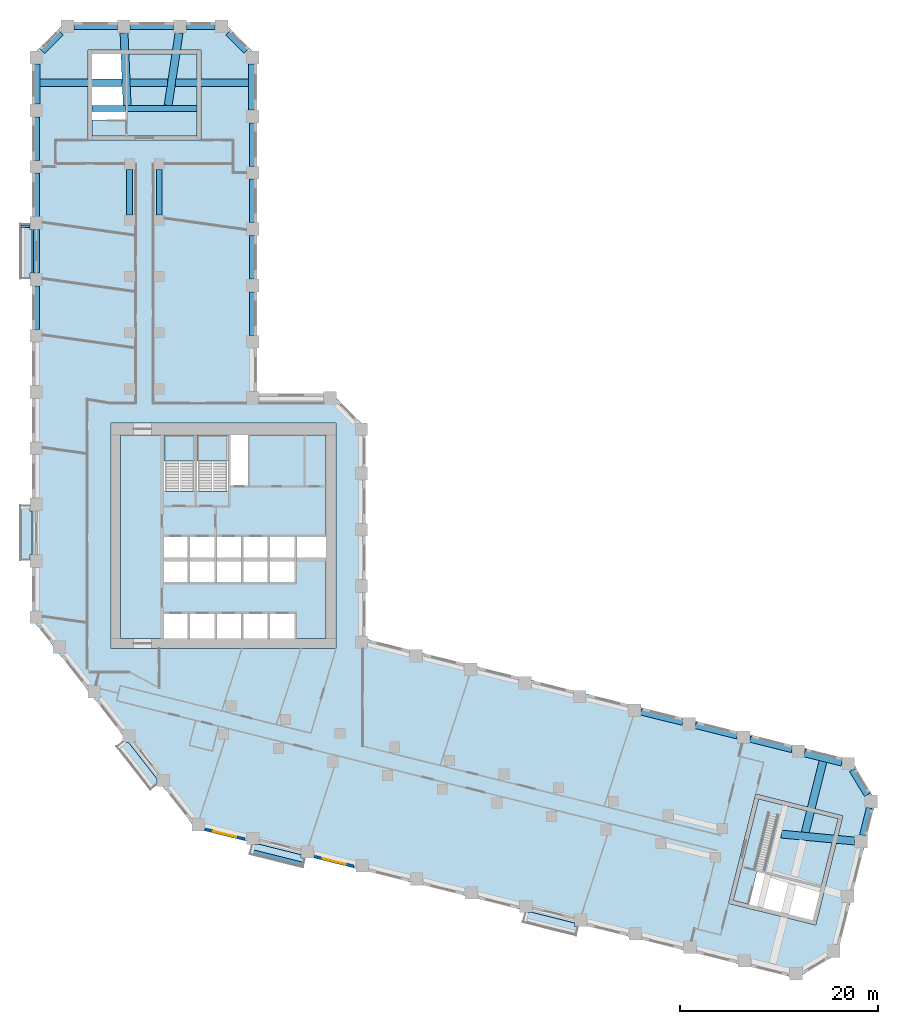
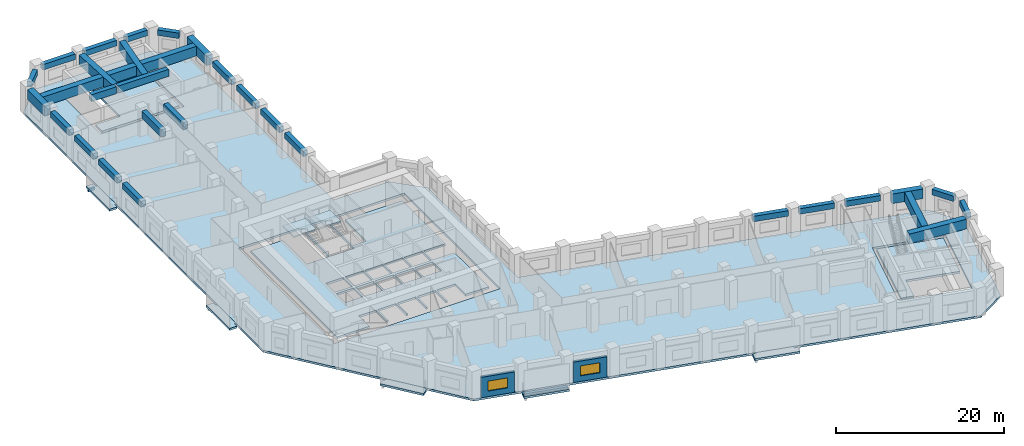
# One storey, part 2 of 11: 33 beams, 11 slabs, 3 walls, 2 windows, 2 openings, 2 elements without a shape of their own.
"""IFC4 building model written with IfcOpenShell, lengths in metres."""

from ifc_helpers import new_model, si_unit, direction, frame, frame_2d, origin, origin_2d, place, context, subcontext, project, spatial, polyline, rectangle, outline, extrude, material, layer, layer_set, material_profile, profile_set, type_object, element, fill, aggregate, save


model = new_model("IFC4")

# Units and contexts
model_context = context("Model", 3, precision=1e-05, world=origin(), true_north=direction((0.0, 1.0)))
body_context = subcontext(model_context, "Body", "Model", "MODEL_VIEW")
ifc_project = project(units=[si_unit("LENGTHUNIT", "METRE"), si_unit("AREAUNIT", "SQUARE_METRE"), si_unit("VOLUMEUNIT", "CUBIC_METRE"), si_unit("PLANEANGLEUNIT", "RADIAN"), si_unit("MASSUNIT", "GRAM", prefix="KILO")], contexts=[model_context])

# Site, building, storey
site_placement = place(None, origin())
site = spatial("IfcSite", under=ifc_project, at=site_placement, CompositionType="ELEMENT")
building_placement = place(site_placement, origin())
building = spatial("IfcBuilding", under=site, at=building_placement, Name="Meshkara Civic Tower", CompositionType="ELEMENT")
storey_placement = place(building_placement, frame((0.0, 0.0, 151.800048828125)))
storey = spatial("IfcBuildingStorey", under=building, at=storey_placement, Name="L34", CompositionType="ELEMENT", Elevation=151.800048828125)

# Beams
ifc_material_1 = material(Name="Concrete C50", Category="concrete")
ifc_material_profile_1 = material_profile(ifc_material_1, rectangle(XDim=0.25, YDim=0.39990234375, at=origin_2d()))
ifc_profile_set_1 = profile_set([ifc_material_profile_1], Name="Concrete C50")
beam_type_1 = type_object("IfcBeamType", Name="Balcony bracket beam RC 250x400 C50", PredefinedType="BEAM", material=ifc_profile_set_1)
beam_1_placement = place(storey_placement, frame((-0.195068359375, 56.85498046875, -0.5), z_axis=(-1.0, 0.0, 0.0), x_axis=(0.0, -1.0, 0.0)))
element("IfcBeam", 1, at=beam_1_placement, inside=storey, type_object=beam_type_1, Name="Balcony bracket beam", PredefinedType="BEAM", context=body_context, shape_type="SweptSolid", body=[
    extrude(rectangle(XDim=0.25, YDim=0.39990234375, at=origin_2d()), origin(), (0.0, 0.0, 1.0), 0.905029296875),
])
ifc_material_2 = material(Name="Concrete C70", Category="concrete")
ifc_material_profile_2 = material_profile(ifc_material_2, rectangle(XDim=0.60009765625, YDim=1.0, at=origin_2d()))
ifc_profile_set_2 = profile_set([ifc_material_profile_2], Name="Concrete C70")
beam_type_2 = type_object("IfcBeamType", Name="Core transfer beam RC 600x1000 C70", PredefinedType="BEAM", material=ifc_profile_set_2)
for number, where, z_axis, x_axis, name in (
    (2, (9.89990234375, 58.0, 3.25), (0.0, 1.0, 0.0), (-1.0, 0.0, 0.0), "Transfer beam A L35 core-side wall"),
    (3, (12.89990234375, 58.0, 3.25), (0.0, 1.0, 0.0), (-1.0, 0.0, 0.0), "Transfer beam A L35 core-side wall"),
):
    element("IfcBeam", number, at=place(storey_placement, frame(where, z_axis=z_axis, x_axis=x_axis)), inside=storey, type_object=beam_type_2, Name=name, PredefinedType="BEAM", context=body_context, shape_type="SweptSolid", body=[
        extrude(rectangle(XDim=0.60009765625, YDim=1.0, at=origin_2d()), origin(), (0.0, 0.0, 1.0), 4.60009765625),
    ])
beam_2_placement = place(storey_placement, frame((6.10009765625, 68.77001953125, 3.25), z_axis=(1.0, 0.0, 0.0), x_axis=(0.0, 1.0, 0.0)))
element("IfcBeam", 4, at=beam_2_placement, inside=storey, type_object=beam_type_2, Name="Transfer beam A L35 tip-side wall", PredefinedType="BEAM", context=body_context, shape_type="SweptSolid", body=[
    extrude(rectangle(XDim=0.60009765625, YDim=1.0, at=origin_2d()), origin(), (0.0, 0.0, 1.0), 3.39990234375),
])
beam_3_placement = place(storey_placement, frame((9.699951171875, 68.77001953125, 3.25), z_axis=(1.0, 0.0, 0.0), x_axis=(0.0, 1.0, 0.0)))
element("IfcBeam", 5, at=beam_3_placement, inside=storey, type_object=beam_type_2, Name="Transfer beam A L35 tip-side wall", PredefinedType="BEAM", context=body_context, shape_type="SweptSolid", body=[
    extrude(rectangle(XDim=0.60009765625, YDim=1.0, at=origin_2d()), origin(), (0.0, 0.0, 1.0), 7.0),
])
ifc_material_3 = material(Name="Concrete C70", Category="concrete")
ifc_material_profile_3 = material_profile(ifc_material_3, rectangle(XDim=0.60009765625, YDim=0.800048828125, at=origin_2d()))
ifc_profile_set_3 = profile_set([ifc_material_profile_3], Name="Concrete C70")
beam_type_3 = type_object("IfcBeamType", Name="Spandrel beam RC 600x800 C70", PredefinedType="BEAM", material=ifc_profile_set_3)
beam_4_placement = place(storey_placement, frame((76.949951171875, 3.847900390625, 3.349853515625), z_axis=(-0.970293497888, 0.241930832999, 0.0), x_axis=(-0.241930832999, -0.970293497888, 0.0)))
element("IfcBeam", 6, at=beam_4_placement, inside=storey, type_object=beam_type_3, Name="Spandrel beam BN07-BN08", PredefinedType="BEAM", context=body_context, shape_type="SweptSolid", body=[
    extrude(rectangle(XDim=0.60009765625, YDim=0.800048828125, at=origin_2d()), origin(), (0.0, 0.0, 1.0), 4.36962890625),
])
for number, where, z_axis, x_axis, name in (
    (7, (71.419921875, 5.226806640625, 3.349853515625), (-0.970293463154, 0.241930972304, 0.0), (-0.241930972304, -0.970293463154, 0.0), "Spandrel beam BN06-BN07"),
    (8, (65.888916015625, 6.605712890625, 3.349853515625), (-0.970293463154, 0.241930972304, 0.0), (-0.241930972304, -0.970293463154, 0.0), "Spandrel beam BN05-BN06"),
):
    element("IfcBeam", number, at=place(storey_placement, frame(where, z_axis=z_axis, x_axis=x_axis)), inside=storey, type_object=beam_type_3, Name=name, PredefinedType="BEAM", context=body_context, shape_type="SweptSolid", body=[
        extrude(rectangle(XDim=0.60009765625, YDim=0.800048828125, at=origin_2d()), origin(), (0.0, 0.0, 1.0), 4.37060546875),
    ])
beam_5_placement = place(storey_placement, frame((22.35009765625, 45.794921875, 3.349853515625), z_axis=(0.0, 1.0, 0.0), x_axis=(-1.0, 0.0, 0.0)))
element("IfcBeam", 9, at=beam_5_placement, inside=storey, type_object=beam_type_3, Name="Spandrel beam AE01-AE02", PredefinedType="BEAM", context=body_context, shape_type="SweptSolid", body=[
    extrude(rectangle(XDim=0.60009765625, YDim=0.800048828125, at=origin_2d()), origin(), (0.0, 0.0, 1.0), 4.41015625),
])
for number, where, z_axis, x_axis, name in (
    (10, (22.35009765625, 51.4951171875, 3.349853515625), (0.0, 1.0, 0.0), (-1.0, 0.0, 0.0), "Spandrel beam AE02-AE03"),
    (11, (22.35009765625, 57.195068359375, 3.349853515625), (0.0, 1.0, 0.0), (-1.0, 0.0, 0.0), "Spandrel beam AE03-AE04"),
    (12, (22.35009765625, 62.89501953125, 3.349853515625), (0.0, 1.0, 0.0), (-1.0, 0.0, 0.0), "Spandrel beam AE04-AE05"),
):
    element("IfcBeam", number, at=place(storey_placement, frame(where, z_axis=z_axis, x_axis=x_axis)), inside=storey, type_object=beam_type_3, Name=name, PredefinedType="BEAM", context=body_context, shape_type="SweptSolid", body=[
        extrude(rectangle(XDim=0.60009765625, YDim=0.800048828125, at=origin_2d()), origin(), (0.0, 0.0, 1.0), 4.409912109375),
    ])
beam_6_placement = place(storey_placement, frame((21.70361328125, 74.560546875, 3.349853515625), z_axis=(-0.707106781187, 0.707106781187, 0.0), x_axis=(-0.707106781187, -0.707106781187, 0.0)))
element("IfcBeam", 13, at=beam_6_placement, inside=storey, type_object=beam_type_3, Name="Spandrel beam AEEP1-ATiEP1", PredefinedType="BEAM", context=body_context, shape_type="SweptSolid", body=[
    extrude(rectangle(XDim=0.60009765625, YDim=0.800048828125, at=origin_2d()), origin(), (0.0, 0.0, 1.0), 2.634765625),
])
beam_7_placement = place(storey_placement, frame((18.549072265625, 77.070068359375, 3.349853515625), z_axis=(-1.0, 0.0, 0.0), x_axis=(0.0, -1.0, 0.0)))
element("IfcBeam", 14, at=beam_7_placement, inside=storey, type_object=beam_type_3, Name="Spandrel beam AT02-P1-ATiEP1", PredefinedType="BEAM", context=body_context, shape_type="SweptSolid", body=[
    extrude(rectangle(XDim=0.60009765625, YDim=0.800048828125, at=origin_2d()), origin(), (0.0, 0.0, 1.0), 2.898193359375),
])
beam_8_placement = place(storey_placement, frame((14.361083984375, 77.070068359375, 3.349853515625), z_axis=(-1.0, 0.0, 0.0), x_axis=(0.0, -1.0, 0.0)))
element("IfcBeam", 15, at=beam_8_placement, inside=storey, type_object=beam_type_3, Name="Spandrel beam AT01-P1-AT02-P1", PredefinedType="BEAM", context=body_context, shape_type="SweptSolid", body=[
    extrude(rectangle(XDim=0.60009765625, YDim=0.800048828125, at=origin_2d()), origin(), (0.0, 0.0, 1.0), 4.41015625),
])
beam_9_placement = place(storey_placement, frame((8.660888671875, 77.070068359375, 3.349853515625), z_axis=(-1.0, 0.0, 0.0), x_axis=(0.0, -1.0, 0.0)))
element("IfcBeam", 16, at=beam_9_placement, inside=storey, type_object=beam_type_3, Name="Spandrel beam AT00-P1-AT01-P1", PredefinedType="BEAM", context=body_context, shape_type="SweptSolid", body=[
    extrude(rectangle(XDim=0.60009765625, YDim=0.800048828125, at=origin_2d()), origin(), (0.0, 0.0, 1.0), 4.409912109375),
])
beam_10_placement = place(storey_placement, frame((2.95947265625, 76.423583984375, 3.349853515625), z_axis=(-0.707106781187, -0.707106781187, 0.0), x_axis=(0.707106781187, -0.707106781187, 0.0)))
element("IfcBeam", 17, at=beam_10_placement, inside=storey, type_object=beam_type_3, Name="Spandrel beam AT00-P1-ATo00-P1", PredefinedType="BEAM", context=body_context, shape_type="SweptSolid", body=[
    extrude(rectangle(XDim=0.60009765625, YDim=0.800048828125, at=origin_2d()), origin(), (0.0, 0.0, 1.0), 2.634765625),
])
for number, where, z_axis, x_axis, name in (
    (18, (0.449951171875, 67.909912109375, 3.349853515625), (0.0, -1.0, 0.0), (1.0, 0.0, 0.0), "Spandrel beam AW08-AW09"),
    (19, (0.449951171875, 62.2099609375, 3.349853515625), (0.0, -1.0, 0.0), (1.0, 0.0, 0.0), "Spandrel beam AW07-AW08"),
    (20, (0.449951171875, 56.510009765625, 3.349853515625), (0.0, -1.0, 0.0), (1.0, 0.0, 0.0), "Spandrel beam AW06-AW07"),
):
    element("IfcBeam", number, at=place(storey_placement, frame(where, z_axis=z_axis, x_axis=x_axis)), inside=storey, type_object=beam_type_3, Name=name, PredefinedType="BEAM", context=body_context, shape_type="SweptSolid", body=[
        extrude(rectangle(XDim=0.60009765625, YDim=0.800048828125, at=origin_2d()), origin(), (0.0, 0.0, 1.0), 4.409912109375),
    ])
beam_11_placement = place(storey_placement, frame((0.449951171875, 50.81005859375, 3.349853515625), z_axis=(0.0, -1.0, 0.0), x_axis=(1.0, 0.0, 0.0)))
element("IfcBeam", 21, at=beam_11_placement, inside=storey, type_object=beam_type_3, Name="Spandrel beam AW05-AW06", PredefinedType="BEAM", context=body_context, shape_type="SweptSolid", body=[
    extrude(rectangle(XDim=0.60009765625, YDim=0.800048828125, at=origin_2d()), origin(), (0.0, 0.0, 1.0), 4.41015625),
])
beam_12_placement = place(storey_placement, frame((84.101806640625, -4.81787109375, 3.349853515625), z_axis=(0.241952611346, 0.970288067464, 0.0), x_axis=(-0.970288067464, 0.241952611346, 0.0)))
element("IfcBeam", 22, at=beam_12_placement, inside=storey, type_object=beam_type_3, Name="Spandrel beam BT02-P1-BTEP1", PredefinedType="BEAM", context=body_context, shape_type="SweptSolid", body=[
    extrude(rectangle(XDim=0.60009765625, YDim=0.800048828125, at=origin_2d()), origin(), (0.0, 0.0, 1.0), 2.857666015625),
])
beam_13_placement = place(storey_placement, frame((84.56591796875, -0.75439453125, 3.349853515625), z_axis=(-0.515115047655, 0.857121046107, 0.0), x_axis=(-0.857121046107, -0.515115047655, 0.0)))
element("IfcBeam", 23, at=beam_13_placement, inside=storey, type_object=beam_type_3, Name="Spandrel beam BTEP1-BTi00-P1", PredefinedType="BEAM", context=body_context, shape_type="SweptSolid", body=[
    extrude(rectangle(XDim=0.60009765625, YDim=0.800048828125, at=origin_2d()), origin(), (0.0, 0.0, 1.0), 2.9560546875),
])
ifc_material_4 = material(Name="Concrete C70", Category="concrete")
ifc_material_profile_4 = material_profile(ifc_material_4, rectangle(XDim=0.800048828125, YDim=1.39990234375, at=origin_2d()))
ifc_profile_set_4 = profile_set([ifc_material_profile_4], Name="Concrete C70")
beam_type_4 = type_object("IfcBeamType", Name="Transfer girder RC 800x1400 C70", PredefinedType="BEAM", material=ifc_profile_set_4)
beam_14_placement = place(storey_placement, frame((22.35009765625, 68.594970703125, 3.050048828125), z_axis=(0.0, 1.0, 0.0), x_axis=(-1.0, 0.0, 0.0)))
element("IfcBeam", 24, at=beam_14_placement, inside=storey, type_object=beam_type_4, Name="Transfer girder AE05-AEEP1", PredefinedType="BEAM", context=body_context, shape_type="SweptSolid", body=[
    extrude(rectangle(XDim=0.800048828125, YDim=1.39990234375, at=origin_2d()), origin(), (0.0, 0.0, 1.0), 4.674072265625),
])
beam_15_placement = place(storey_placement, frame((0.449951171875, 69.199951171875, 3.050048828125), z_axis=(0.0, 1.0, 0.0), x_axis=(-1.0, 0.0, 0.0)))
element("IfcBeam", 25, at=beam_15_placement, inside=storey, type_object=beam_type_4, Name="Transfer girder ATo00-P1-AW09", PredefinedType="BEAM", context=body_context, shape_type="SweptSolid", body=[
    extrude(rectangle(XDim=0.800048828125, YDim=1.39990234375, at=origin_2d()), origin(), (0.0, 0.0, 1.0), 4.069091796875),
])
beam_16_placement = place(storey_placement, frame((9.6474609375, 69.070068359375, 3.050048828125), z_axis=(-0.042648540009, 0.999090137092, 0.0), x_axis=(-0.999090137092, -0.042648540009, 0.0)))
element("IfcBeam", 26, at=beam_16_placement, inside=storey, type_object=beam_type_4, Name="Transfer girder AT01-P1-SA1-08", PredefinedType="BEAM", context=body_context, shape_type="SweptSolid", body=[
    extrude(rectangle(XDim=0.800048828125, YDim=1.39990234375, at=origin_2d()), origin(), (0.0, 0.0, 1.0), 7.361572265625),
])
beam_17_placement = place(storey_placement, frame((13.795654296875, 69.070068359375, 3.050048828125), z_axis=(0.14960022733, 0.988746566104, 0.0), x_axis=(-0.988746566104, 0.14960022733, 0.0)))
element("IfcBeam", 27, at=beam_17_placement, inside=storey, type_object=beam_type_4, Name="Transfer girder AT02-P1-SA2-08", PredefinedType="BEAM", context=body_context, shape_type="SweptSolid", body=[
    extrude(rectangle(XDim=0.800048828125, YDim=1.39990234375, at=origin_2d()), origin(), (0.0, 0.0, 1.0), 7.4384765625),
])
beam_18_placement = place(storey_placement, frame((0.85009765625, 71.3701171875, 3.050048828125), z_axis=(1.0, 0.0, 0.0), x_axis=(0.0, 1.0, 0.0)))
element("IfcBeam", 28, at=beam_18_placement, inside=storey, type_object=beam_type_4, Name="Transfer girder tip A L35", PredefinedType="BEAM", context=body_context, shape_type="SweptSolid", body=[
    extrude(rectangle(XDim=0.800048828125, YDim=1.39990234375, at=origin_2d()), origin(), (0.0, 0.0, 1.0), 8.299072265625),
])
beam_19_placement = place(storey_placement, frame((9.94921875, 71.3701171875, 3.050048828125), z_axis=(1.0, 0.0, 0.0), x_axis=(0.0, 1.0, 0.0)))
element("IfcBeam", 29, at=beam_19_placement, inside=storey, type_object=beam_type_4, Name="Transfer girder tip A L35", PredefinedType="BEAM", context=body_context, shape_type="SweptSolid", body=[
    extrude(rectangle(XDim=0.800048828125, YDim=1.39990234375, at=origin_2d()), origin(), (0.0, 0.0, 1.0), 3.79443359375),
])
beam_20_placement = place(storey_placement, frame((14.543701171875, 71.3701171875, 3.050048828125), z_axis=(1.0, 0.0, 0.0), x_axis=(0.0, 1.0, 0.0)))
element("IfcBeam", 30, at=beam_20_placement, inside=storey, type_object=beam_type_4, Name="Transfer girder tip A L35", PredefinedType="BEAM", context=body_context, shape_type="SweptSolid", body=[
    extrude(rectangle(XDim=0.800048828125, YDim=1.39990234375, at=origin_2d()), origin(), (0.0, 0.0, 1.0), 7.40625),
])
beam_21_placement = place(storey_placement, frame((78.239990234375, 3.526123046875, 3.050048828125), z_axis=(0.970282789967, -0.241973774392, 0.0), x_axis=(0.241973774392, 0.970282789967, 0.0)))
element("IfcBeam", 31, at=beam_21_placement, inside=storey, type_object=beam_type_4, Name="Transfer girder BN08-BTi00-P1", PredefinedType="BEAM", context=body_context, shape_type="SweptSolid", body=[
    extrude(rectangle(XDim=0.800048828125, YDim=1.39990234375, at=origin_2d()), origin(), (0.0, 0.0, 1.0), 3.885498046875),
])
beam_22_placement = place(storey_placement, frame((75.88671875, -4.70263671875, 3.050048828125), z_axis=(0.995573423442, -0.093987012593, 0.0), x_axis=(0.093987012593, 0.995573423442, 0.0)))
element("IfcBeam", 32, at=beam_22_placement, inside=storey, type_object=beam_type_4, Name="Transfer girder BT02-P1-SB2-09", PredefinedType="BEAM", context=body_context, shape_type="SweptSolid", body=[
    extrude(rectangle(XDim=0.800048828125, YDim=1.39990234375, at=origin_2d()), origin(), (0.0, 0.0, 1.0), 7.442138671875),
])
beam_23_placement = place(storey_placement, frame((78.299072265625, -4.533203125, 3.050048828125), z_axis=(0.241915012002, 0.970297442524, 0.0), x_axis=(-0.970297442524, 0.241915012002, 0.0)))
element("IfcBeam", 33, at=beam_23_placement, inside=storey, type_object=beam_type_4, Name="Transfer girder tip B L35", PredefinedType="BEAM", context=body_context, shape_type="SweptSolid", body=[
    extrude(rectangle(XDim=0.800048828125, YDim=1.39990234375, at=origin_2d()), origin(), (0.0, 0.0, 1.0), 7.405517578125),
])

# Slabs
ifc_material_5 = material(Name="Concrete C40", Category="concrete")
ifc_layer_1 = layer(ifc_material_5, 0.300048828125)
ifc_layer_set_1 = layer_set([ifc_layer_1], Name="BALCONY SLAB")
slab_type_1 = type_object("IfcSlabType", Name="BALCONY SLAB", PredefinedType="FLOOR", material=ifc_layer_set_1)
slab_1_placement = place(storey_placement, frame((0.0, 0.0, -0.300048828125)))
element("IfcSlab", 34, at=slab_1_placement, inside=storey, type_object=slab_type_1, Name="Balcony slab", PredefinedType="FLOOR", context=body_context, shape_type="SweptSolid", body=[
    extrude(outline(polyline([(-1.199951171875, 51.514892578125), (-1.199951171875, 57.094970703125), (-0.199951171875, 57.094970703125), (-0.199951171875, 56.5048828125), (0.0, 56.5048828125), (0.0, 52.10498046875), (-0.199951171875, 52.10498046875), (-0.199951171875, 51.514892578125), (-1.199951171875, 51.514892578125)])), origin(), (0.0, 0.0, 1.0), 0.300048828125),
])
slab_2_placement = place(storey_placement, frame((0.0, 0.0, -0.300048828125)))
element("IfcSlab", 35, at=slab_2_placement, inside=storey, type_object=slab_type_1, Name="Balcony slab", PredefinedType="FLOOR", context=body_context, shape_type="SweptSolid", body=[
    extrude(outline(polyline([(-1.199951171875, 23.014892578125), (-1.199951171875, 28.594970703125), (-0.199951171875, 28.594970703125), (-0.199951171875, 28.0048828125), (0.0, 28.0048828125), (0.0, 23.60498046875), (-0.199951171875, 23.60498046875), (-0.199951171875, 23.014892578125), (-1.199951171875, 23.014892578125)])), origin(), (0.0, 0.0, 1.0), 0.300048828125),
])
slab_3_placement = place(storey_placement, frame((0.0, 0.0, -0.300048828125)))
element("IfcSlab", 36, at=slab_3_placement, inside=storey, type_object=slab_type_1, Name="Balcony slab", PredefinedType="FLOOR", context=body_context, shape_type="SweptSolid", body=[
    extrude(outline(polyline([(12.0048828125, -0.215087890625), (8.570068359375, 4.181884765625), (9.18310546875, 4.660888671875), (9.18310546875, 4.594970703125), (9.77001953125, 4.594970703125), (12.69189453125, 0.85498046875), (12.69189453125, 0.322021484375), (12.0048828125, -0.215087890625)])), origin(), (0.0, 0.0, 1.0), 0.300048828125),
])
slab_4_placement = place(storey_placement, frame((0.0, 0.0, -0.300048828125)))
element("IfcSlab", 37, at=slab_4_placement, inside=storey, type_object=slab_type_1, Name="Balcony slab", PredefinedType="FLOOR", context=body_context, shape_type="SweptSolid", body=[
    extrude(outline(polyline([(27.455078125, -8.08203125), (22.041015625, -6.73193359375), (22.281982421875, -5.76708984375), (23.031982421875, -5.76708984375), (23.031982421875, -5.742919921875), (27.261962890625, -6.797119140625), (27.261962890625, -7.14599609375), (27.68798828125, -7.14599609375), (27.455078125, -8.08203125)])), origin(), (0.0, 0.0, 1.0), 0.300048828125),
])
slab_5_placement = place(storey_placement, frame((0.0, 0.0, -0.300048828125)))
element("IfcSlab", 38, at=slab_5_placement, inside=storey, type_object=slab_type_1, Name="Balcony slab", PredefinedType="FLOOR", context=body_context, shape_type="SweptSolid", body=[
    extrude(outline(polyline([(55.10888671875, -14.97705078125), (49.694091796875, -13.626953125), (49.93505859375, -12.660888671875), (50.68505859375, -12.660888671875), (50.68505859375, -12.636962890625), (54.916015625, -13.69189453125), (54.916015625, -14.0400390625), (55.342041015625, -14.0400390625), (55.10888671875, -14.97705078125)])), origin(), (0.0, 0.0, 1.0), 0.300048828125),
])
ifc_material_6 = material(Name="Concrete C40/50", Category="concrete")
ifc_layer_2 = layer(ifc_material_6, 0.300048828125)
ifc_layer_set_2 = layer_set([ifc_layer_2], Name="Core floor slab 300 C40/50")
slab_type_2 = type_object("IfcSlabType", Name="Core floor slab 300 C40/50", PredefinedType="FLOOR", material=ifc_layer_set_2)
slab_6_placement = place(storey_placement, frame((0.0, 0.0, -0.300048828125)))
element("IfcSlab", 39, at=slab_6_placement, inside=storey, type_object=slab_type_2, Name="Core floor K", PredefinedType="FLOOR", context=body_context, shape_type="SweptSolid", body=[
    extrude(outline(polyline([(9.0, 35.699951171875), (13.39990234375, 35.699951171875), (13.39990234375, 30.00146484375), (16.5, 30.00146484375), (16.5, 35.699951171875), (16.699951171875, 35.699951171875), (16.699951171875, 30.00146484375), (19.89990234375, 30.00146484375), (19.89990234375, 35.699951171875), (20.10009765625, 35.699951171875), (20.10009765625, 30.574951171875), (21.925048828125, 30.574951171875), (21.925048828125, 35.699951171875), (29.800048828125, 35.699951171875), (29.800048828125, 25.39990234375), (26.800048828125, 25.39990234375), (26.800048828125, 23.300048828125), (29.800048828125, 23.300048828125), (29.800048828125, 15.10009765625), (26.60009765625, 15.10009765625), (26.60009765625, 17.60009765625), (24.10009765625, 17.60009765625), (24.10009765625, 15.10009765625), (23.89990234375, 15.10009765625), (23.89990234375, 17.60009765625), (21.39990234375, 17.60009765625), (21.39990234375, 15.10009765625), (21.199951171875, 15.10009765625), (21.199951171875, 17.60009765625), (18.699951171875, 17.60009765625), (18.699951171875, 15.10009765625), (18.5, 15.10009765625), (18.5, 17.60009765625), (16.0, 17.60009765625), (16.0, 15.10009765625), (15.800048828125, 15.10009765625), (15.800048828125, 17.60009765625), (13.39990234375, 17.60009765625), (13.39990234375, 15.10009765625), (9.0, 15.10009765625), (9.0, 35.699951171875)]), holes=[polyline([(15.800048828125, 20.800048828125), (15.800048828125, 22.89990234375), (13.39990234375, 22.89990234375), (13.39990234375, 20.800048828125), (15.800048828125, 20.800048828125)]), polyline([(16.0, 22.89990234375), (16.0, 20.800048828125), (18.5, 20.800048828125), (18.5, 22.89990234375), (16.0, 22.89990234375)]), polyline([(18.699951171875, 22.89990234375), (18.699951171875, 20.800048828125), (21.199951171875, 20.800048828125), (21.199951171875, 22.89990234375), (18.699951171875, 22.89990234375)]), polyline([(15.800048828125, 23.300048828125), (15.800048828125, 25.39990234375), (13.39990234375, 25.39990234375), (13.39990234375, 23.300048828125), (15.800048828125, 23.300048828125)]), polyline([(16.0, 25.39990234375), (16.0, 23.300048828125), (18.5, 23.300048828125), (18.5, 25.39990234375), (16.0, 25.39990234375)]), polyline([(21.199951171875, 25.39990234375), (18.699951171875, 25.39990234375), (18.699951171875, 23.300048828125), (21.199951171875, 23.300048828125), (21.199951171875, 25.39990234375)]), polyline([(21.39990234375, 22.89990234375), (21.39990234375, 20.800048828125), (23.89990234375, 20.800048828125), (23.89990234375, 22.89990234375), (21.39990234375, 22.89990234375)]), polyline([(24.10009765625, 20.800048828125), (26.60009765625, 20.800048828125), (26.60009765625, 22.89990234375), (24.10009765625, 22.89990234375), (24.10009765625, 20.800048828125)]), polyline([(21.39990234375, 23.300048828125), (23.89990234375, 23.300048828125), (23.89990234375, 25.39990234375), (21.39990234375, 25.39990234375), (21.39990234375, 23.300048828125)]), polyline([(26.60009765625, 23.300048828125), (26.60009765625, 25.39990234375), (24.10009765625, 25.39990234375), (24.10009765625, 23.300048828125), (26.60009765625, 23.300048828125)])]), origin(), (0.0, 0.0, 1.0), 0.300048828125),
])
slab_7_placement = place(storey_placement, frame((0.0, 0.0, -0.300048828125)))
element("IfcSlab", 40, at=slab_7_placement, inside=storey, type_object=slab_type_2, Name="Core floor EA", PredefinedType="FLOOR", context=body_context, shape_type="SweptSolid", body=[
    extrude(outline(polyline([(16.699951171875, 65.969970703125), (16.699951171875, 74.27001953125), (9.5, 74.27001953125), (9.5, 67.571533203125), (6.10009765625, 67.571533203125), (6.10009765625, 65.969970703125), (16.699951171875, 65.969970703125)])), origin(), (0.0, 0.0, 1.0), 0.300048828125),
])
slab_8_placement = place(storey_placement, frame((0.0, 0.0, -0.300048828125)))
element("IfcSlab", 41, at=slab_8_placement, inside=storey, type_object=slab_type_2, Name="Core floor EB", PredefinedType="FLOOR", context=body_context, shape_type="SweptSolid", body=[
    extrude(outline(polyline([(73.581298828125, -1.134521484375), (81.634521484375, -3.142578125), (79.892822265625, -10.128662109375), (73.393310546875, -8.508056640625), (72.57080078125, -11.80712890625), (71.016845703125, -11.419677734375), (73.581298828125, -1.134521484375)])), origin(), (0.0, 0.0, 1.0), 0.300048828125),
])

# Stair, slab
ifc_material_7 = material(Name="Precast concrete C40/50", Category="concrete")
stair_type = type_object("IfcStairType", Name="Exit stair half-turn 24 risers precast", PredefinedType="HALF_TURN_STAIR", material=ifc_material_7)
stair_1_placement = place(storey_placement, origin())
stair_1 = element("IfcStair", 42, at=stair_1_placement, inside=storey, type_object=stair_type, Name="L34 exit stair 1", PredefinedType="HALF_TURN_STAIR")
ifc_material_8 = material(Name="Precast concrete C40/50", Category="concrete")
ifc_layer_3 = layer(ifc_material_8, 0.199951171875)
ifc_layer_set_3 = layer_set([ifc_layer_3], Name="Exit stair landing 200")
slab_type_3 = type_object("IfcSlabType", Name="Exit stair landing 200", PredefinedType="LANDING", material=ifc_layer_set_3)
slab_9_placement = place(storey_placement, frame((0.0, 0.0, 1.89990234375)))
slab_9 = element("IfcSlab", 43, at=slab_9_placement, type_object=slab_type_3, Name="ST1 landing 1", PredefinedType="LANDING", context=body_context, shape_type="SweptSolid", body=[
    extrude(outline(polyline([(16.5, 33.07861328125), (16.5, 35.699951171875), (13.39990234375, 35.699951171875), (13.39990234375, 33.07861328125), (16.5, 33.07861328125)])), origin(), (0.0, 0.0, 1.0), 0.199951171875),
])
aggregate(stair_1, [slab_9])

stair_2_placement = place(storey_placement, origin())
stair_2 = element("IfcStair", 44, at=stair_2_placement, inside=storey, type_object=stair_type, Name="L34 exit stair 2", PredefinedType="HALF_TURN_STAIR")
slab_10_placement = place(storey_placement, frame((0.0, 0.0, 1.89990234375)))
slab_10 = element("IfcSlab", 45, at=slab_10_placement, type_object=slab_type_3, Name="ST2 landing 1", PredefinedType="LANDING", context=body_context, shape_type="SweptSolid", body=[
    extrude(outline(polyline([(19.89990234375, 33.07861328125), (19.89990234375, 35.699951171875), (16.699951171875, 35.699951171875), (16.699951171875, 33.07861328125), (19.89990234375, 33.07861328125)])), origin(), (0.0, 0.0, 1.0), 0.199951171875),
])
aggregate(stair_2, [slab_10])

# Slab
ifc_material_9 = material(Name="Concrete C50", Category="concrete")
ifc_layer_4 = layer(ifc_material_9, 0.300048828125)
ifc_layer_set_4 = layer_set([ifc_layer_4], Name="Post-tensioned flat slab 300 C50")
slab_type_4 = type_object("IfcSlabType", Name="Post-tensioned flat slab 300 C50", PredefinedType="FLOOR", material=ifc_layer_set_4)
slab_11_placement = place(storey_placement, frame((0.0, 0.0, -0.300048828125)))
element("IfcSlab", 46, at=slab_11_placement, inside=storey, type_object=slab_type_4, Name="Post-tensioned flat slab L34", PredefinedType="FLOOR", context=body_context, shape_type="SweptSolid", body=[
    extrude(outline(polyline([(81.574951171875, -16.81396484375), (77.429931640625, -19.304931640625), (16.592041015625, -4.136962890625), (0.0, 17.10009765625), (0.0, 74.10009765625), (3.419921875, 77.52001953125), (19.3798828125, 77.52001953125), (22.800048828125, 74.10009765625), (22.800048828125, 39.89990234375), (30.3798828125, 39.89990234375), (33.800048828125, 36.47998046875), (33.800048828125, 15.071044921875), (82.945068359375, 2.81689453125), (85.43603515625, -1.327880859375), (81.574951171875, -16.81396484375)]), holes=[polyline([(79.362060546875, -13.9130859375), (82.1201171875, -2.85107421875), (73.2900390625, -0.64990234375), (70.531982421875, -11.7109375), (79.362060546875, -13.9130859375)]), polyline([(8.0, 14.10009765625), (30.800048828125, 14.10009765625), (30.800048828125, 36.89990234375), (8.0, 36.89990234375), (8.0, 14.10009765625)]), polyline([(5.699951171875, 74.669921875), (5.699951171875, 65.570068359375), (17.10009765625, 65.570068359375), (17.10009765625, 74.669921875), (5.699951171875, 74.669921875)])]), origin(), (0.0, 0.0, 1.0), 0.300048828125),
])

# Wall, opening, window
ifc_material_10 = material(Name="Insulated infill panel with bronze anodised aluminium cladding", Category="aluminium")
ifc_layer_5 = layer(ifc_material_10, 0.300048828125)
ifc_layer_set_5 = layer_set([ifc_layer_5], Name="EXTERNAL INFILL WALL 300")
wall_type_1 = type_object("IfcWallType", Name="EXTERNAL INFILL WALL 300", PredefinedType="SOLIDWALL", material=ifc_layer_set_5)
wall_1_placement = place(storey_placement, frame((17.54296875, -4.219970703125, 0.0), z_axis=(0.0, 0.0, 1.0), x_axis=(0.970337184445, -0.241755555227, 0.0)))
wall_1 = element("IfcWall", 47, at=wall_1_placement, inside=storey, type_object=wall_type_1, Name="External wall", PredefinedType="SOLIDWALL", context=body_context, shape_type="SweptSolid", body=[
    extrude(rectangle(XDim=4.124267578125, YDim=0.300048828125, at=frame_2d((2.06201171875, 0.0))), origin(), (0.0, 0.0, 1.0), 2.949951171875),
])
opening_1_placement = place(wall_1_placement, frame((0.862060546875, 0.0, 0.800048828125)))
opening_1 = element("IfcOpeningElement", 48, at=opening_1_placement, cuts=wall_1, Name="Opening W8", PredefinedType="OPENING", context=body_context, shape_type="SweptSolid", body=[
    extrude(rectangle(XDim=2.39990234375, YDim=1.449951171875, at=frame_2d((1.199951171875, 0.72509765625))), frame((0.0, 0.159912109375, 0.0), z_axis=(0.0, -1.0, 0.0), x_axis=(1.0, 0.0, 0.0)), (0.0, 0.0, 1.0), 0.320068359375),
])
ifc_material_11 = material(Name="Tinted double glazing", Category="glass")
window_type = type_object("IfcWindowType", Name="WINDOW 2400x1450", PartitioningType="DOUBLE_PANEL_VERTICAL", PredefinedType="WINDOW", material=ifc_material_11)
window_1_placement = place(opening_1_placement, origin())
window_1 = element("IfcWindow", 49, at=window_1_placement, inside=storey, type_object=window_type, Name="Window", OverallHeight=1.449951171875, OverallWidth=2.39990234375, PartitioningType="DOUBLE_PANEL_VERTICAL", PredefinedType="WINDOW", context=body_context, shape_type="SweptSolid", body=[
    extrude(rectangle(XDim=2.39990234375, YDim=1.449951171875, at=frame_2d((1.199951171875, 0.72509765625))), frame((0.0, 0.030029296875, 0.0), z_axis=(0.0, -1.0, 0.0), x_axis=(1.0, 0.0, 0.0)), (0.0, 0.0, 1.0), 0.06005859375),
])
fill(opening_1, window_1)

wall_2_placement = place(storey_placement, frame((28.60400390625, -6.97705078125, 0.0), z_axis=(0.0, 0.0, 1.0), x_axis=(0.970281616392, -0.241978480223, 0.0)))
wall_2 = element("IfcWall", 50, at=wall_2_placement, inside=storey, type_object=wall_type_1, Name="External wall", PredefinedType="SOLIDWALL", context=body_context, shape_type="SweptSolid", body=[
    extrude(rectangle(XDim=4.12451171875, YDim=0.300048828125, at=frame_2d((2.062255859375, 0.0))), origin(), (0.0, 0.0, 1.0), 2.949951171875),
])
opening_2_placement = place(wall_2_placement, frame((0.862060546875, 0.0, 0.800048828125)))
opening_2 = element("IfcOpeningElement", 51, at=opening_2_placement, cuts=wall_2, Name="Opening W8", PredefinedType="OPENING", context=body_context, shape_type="SweptSolid", body=[
    extrude(rectangle(XDim=2.39990234375, YDim=1.449951171875, at=frame_2d((1.199951171875, 0.72509765625))), frame((0.0, 0.159912109375, 0.0), z_axis=(0.0, -1.0, 0.0), x_axis=(1.0, 0.0, 0.0)), (0.0, 0.0, 1.0), 0.320068359375),
])
window_2_placement = place(opening_2_placement, origin())
window_2 = element("IfcWindow", 52, at=window_2_placement, inside=storey, type_object=window_type, Name="Window", OverallHeight=1.449951171875, OverallWidth=2.39990234375, PartitioningType="DOUBLE_PANEL_VERTICAL", PredefinedType="WINDOW", context=body_context, shape_type="SweptSolid", body=[
    extrude(rectangle(XDim=2.39990234375, YDim=1.449951171875, at=frame_2d((1.199951171875, 0.72509765625))), frame((0.0, 0.030029296875, 0.0), z_axis=(0.0, -1.0, 0.0), x_axis=(1.0, 0.0, 0.0)), (0.0, 0.0, 1.0), 0.06005859375),
])
fill(opening_2, window_2)

# Wall
ifc_material_12 = material(Name="Concrete C40", Category="concrete")
ifc_layer_6 = layer(ifc_material_12, 0.39990234375)
ifc_layer_set_6 = layer_set([ifc_layer_6], Name="PLANTER TRAY")
wall_type_2 = type_object("IfcWallType", Name="PLANTER TRAY", PredefinedType="SOLIDWALL", material=ifc_layer_set_6)
wall_3_placement = place(storey_placement, frame((22.22509765625, -6.447998046875, 0.0), z_axis=(0.0, 0.0, 1.0), x_axis=(0.970268314528, -0.242031811592, 0.0)))
element("IfcWall", 53, at=wall_3_placement, inside=storey, type_object=wall_type_2, Name="Planter", PredefinedType="SOLIDWALL", context=body_context, shape_type="SweptSolid", body=[
    extrude(rectangle(XDim=5.359375, YDim=0.39990234375, at=frame_2d((2.6796875, 0.0))), origin(), (0.0, 0.0, 1.0), 0.300048828125),
])

save(model, "model.ifc")
